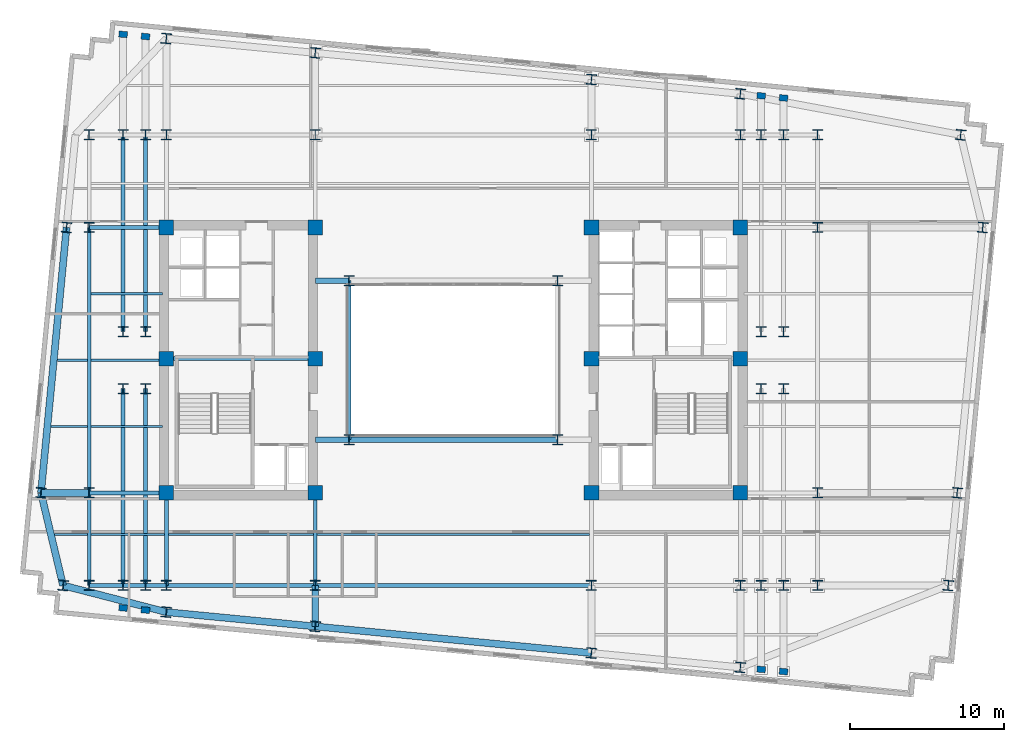
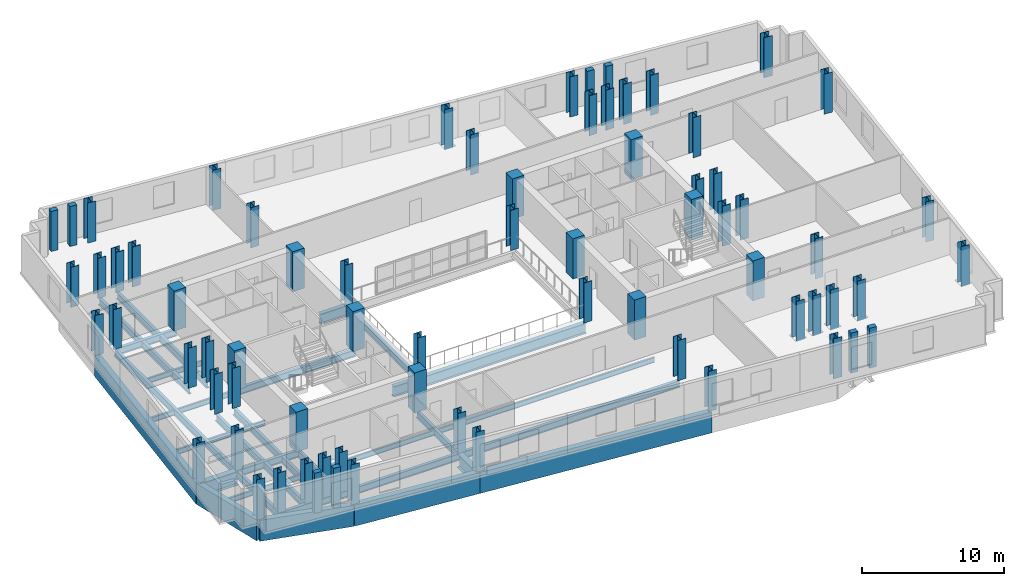
# One storey, part 1 of 11: 71 columns, 34 beams.
"""IFC4 building model written with IfcOpenShell, lengths in metres."""

from ifc_helpers import new_model, si_unit, direction, frame, origin, origin_2d, place, context, subcontext, project, spatial, rectangle, i_section, extrude, material, material_profile, profile_set, type_object, element, save


model = new_model("IFC4")

# Units and contexts
model_context = context("Model", 3, precision=1e-05, world=origin(), true_north=direction((0.0, 1.0)))
body_context = subcontext(model_context, "Body", "Model", "MODEL_VIEW")
ifc_project = project(units=[si_unit("LENGTHUNIT", "METRE"), si_unit("AREAUNIT", "SQUARE_METRE"), si_unit("VOLUMEUNIT", "CUBIC_METRE"), si_unit("PLANEANGLEUNIT", "RADIAN"), si_unit("MASSUNIT", "GRAM", prefix="KILO")], contexts=[model_context])

# Site, building, storey
site_placement = place(None, origin())
site = spatial("IfcSite", under=ifc_project, at=site_placement, CompositionType="ELEMENT")
building_placement = place(site_placement, origin())
building = spatial("IfcBuilding", under=site, at=building_placement, Name="Velakula Bourse", CompositionType="ELEMENT")
storey_placement = place(building_placement, frame((0.0, 0.0, 160.39990234375)))
storey = spatial("IfcBuildingStorey", under=building, at=storey_placement, Name="L43", CompositionType="ELEMENT", Elevation=160.39990234375)

# Columns
ifc_material_1 = material(Name="Concrete M70 (fck 70 MPa)", Category="concrete")
ifc_material_profile_1 = material_profile(ifc_material_1, rectangle(XDim=0.949951171875, YDim=0.949951171875, at=origin_2d()), Name="Concrete M70 (fck 70 MPa)")
ifc_profile_set_1 = profile_set([ifc_material_profile_1], Name="Concrete M70 (fck 70 MPa)")
column_type_1 = type_object("IfcColumnType", Name="COL-RC-950", PredefinedType="COLUMN", material=ifc_profile_set_1)
for number, where, z_axis, x_axis, name in (
    (1, (-8.949951171875, -8.60009765625, 0.0), (0.0, 0.0, 1.0), (1.0, 0.0, 0.0), "L43 Core Boundary Column 01"),
    (2, (-8.949951171875, 0.10009765625, 0.0), (0.0, 0.0, 1.0), (1.0, 0.0, 0.0), "L43 Core Boundary Column 02"),
    (3, (-8.949951171875, 8.60009765625, 0.0), (0.0, 0.0, 1.0), (1.0, 0.0, 0.0), "L43 Core Boundary Column 03"),
    (4, (-18.60009765625, -8.60009765625, 0.0), (0.0, 0.0, 1.0), (1.0, 0.0, 0.0), "L43 Core Boundary Column 04"),
    (5, (-18.60009765625, 0.10009765625, 0.0), (0.0, 0.0, 1.0), (1.0, 0.0, 0.0), "L43 Core Boundary Column 05"),
    (6, (-18.60009765625, 8.60009765625, 0.0), (0.0, 0.0, 1.0), (1.0, 0.0, 0.0), "L43 Core Boundary Column 06"),
    (7, (8.949951171875, -8.60009765625, 0.0), (0.0, 0.0, 1.0), (1.0, 0.0, 0.0), "L43 Core Boundary Column 07"),
    (8, (8.949951171875, 0.10009765625, 0.0), (0.0, 0.0, 1.0), (1.0, 0.0, 0.0), "L43 Core Boundary Column 08"),
    (9, (8.949951171875, 8.60009765625, 0.0), (0.0, 0.0, 1.0), (1.0, 0.0, 0.0), "L43 Core Boundary Column 09"),
    (10, (18.60009765625, -8.60009765625, 0.0), (0.0, 0.0, 1.0), (1.0, 0.0, 0.0), "L43 Core Boundary Column 10"),
    (11, (18.60009765625, 0.10009765625, 0.0), (0.0, 0.0, 1.0), (1.0, 0.0, 0.0), "L43 Core Boundary Column 11"),
    (12, (18.60009765625, 8.60009765625, 0.0), (0.0, 0.0, 1.0), (1.0, 0.0, 0.0), "L43 Core Boundary Column 12"),
):
    element("IfcColumn", number, at=place(storey_placement, frame(where, z_axis=z_axis, x_axis=x_axis)), inside=storey, type_object=column_type_1, Name=name, PredefinedType="COLUMN", context=body_context, shape_type="SweptSolid", body=[
        extrude(rectangle(XDim=0.949951171875, YDim=0.949951171875, at=origin_2d()), origin(), (0.0, 0.0, 1.0), 3.4501953125),
    ])
ifc_material_2 = material(Name="Steel IS 2062 Grade 350 (E350)", Category="steel")
ifc_material_profile_2 = material_profile(ifc_material_2, i_section(OverallWidth=0.64990234375, OverallDepth=0.64990234375, WebThickness=0.028076171875, FlangeThickness=0.0400390625, at=origin_2d()), Name="Steel IS 2062 Grade 350 (E350)")
ifc_profile_set_2 = profile_set([ifc_material_profile_2], Name="Steel IS 2062 Grade 350 (E350)")
column_type_2 = type_object("IfcColumnType", Name="COL-STL-650", PredefinedType="COLUMN", material=ifc_profile_set_2)
for number, where, z_axis, x_axis, name in (
    (13, (-6.75, -5.14990234375, 0.0), (0.0, 0.0, 1.0), (1.0, 0.0, 0.0), "L43 Central Spine Column 01"),
    (14, (-6.75, 5.14990234375, 0.0), (0.0, 0.0, 1.0), (1.0, 0.0, 0.0), "L43 Central Spine Column 02"),
    (15, (6.75, -5.14990234375, 0.0), (0.0, 0.0, 1.0), (1.0, 0.0, 0.0), "L43 Central Spine Column 03"),
    (16, (6.75, 5.14990234375, 0.0), (0.0, 0.0, 1.0), (1.0, 0.0, 0.0), "L43 Central Spine Column 04"),
    (17, (-21.39990234375, -14.60009765625, 0.0), (0.0, 0.0, 1.0), (1.0, 0.0, 0.0), "L43 Tower Fulcrum Column 01"),
    (18, (-21.39990234375, 14.60009765625, 0.0), (0.0, 0.0, 1.0), (1.0, 0.0, 0.0), "L43 Tower Fulcrum Column 02"),
    (19, (-19.949951171875, -14.60009765625, 0.0), (0.0, 0.0, 1.0), (1.0, 0.0, 0.0), "L43 Tower Fulcrum Column 03"),
    (20, (-19.949951171875, 14.60009765625, 0.0), (0.0, 0.0, 1.0), (1.0, 0.0, 0.0), "L43 Tower Fulcrum Column 04"),
    (21, (-18.60009765625, -14.60009765625, 0.0), (0.0, 0.0, 1.0), (1.0, 0.0, 0.0), "L43 Tower Fulcrum Column 05"),
    (22, (-18.60009765625, 14.60009765625, 0.0), (0.0, 0.0, 1.0), (1.0, 0.0, 0.0), "L43 Tower Fulcrum Column 06"),
    (23, (-8.949951171875, -14.60009765625, 0.0), (0.0, 0.0, 1.0), (1.0, 0.0, 0.0), "L43 Tower Fulcrum Column 07"),
    (24, (-8.949951171875, 14.60009765625, 0.0), (0.0, 0.0, 1.0), (1.0, 0.0, 0.0), "L43 Tower Fulcrum Column 08"),
    (25, (8.949951171875, -14.60009765625, 0.0), (0.0, 0.0, 1.0), (1.0, 0.0, 0.0), "L43 Tower Fulcrum Column 09"),
    (26, (8.949951171875, 14.60009765625, 0.0), (0.0, 0.0, 1.0), (1.0, 0.0, 0.0), "L43 Tower Fulcrum Column 10"),
    (27, (18.60009765625, -14.60009765625, 0.0), (0.0, 0.0, 1.0), (1.0, 0.0, 0.0), "L43 Tower Fulcrum Column 11"),
    (28, (18.60009765625, 14.60009765625, 0.0), (0.0, 0.0, 1.0), (1.0, 0.0, 0.0), "L43 Tower Fulcrum Column 12"),
    (29, (19.949951171875, -14.60009765625, 0.0), (0.0, 0.0, 1.0), (1.0, 0.0, 0.0), "L43 Tower Fulcrum Column 13"),
    (30, (19.949951171875, 14.60009765625, 0.0), (0.0, 0.0, 1.0), (1.0, 0.0, 0.0), "L43 Tower Fulcrum Column 14"),
    (31, (21.39990234375, -14.60009765625, 0.0), (0.0, 0.0, 1.0), (1.0, 0.0, 0.0), "L43 Tower Fulcrum Column 15"),
    (32, (21.39990234375, 14.60009765625, 0.0), (0.0, 0.0, 1.0), (1.0, 0.0, 0.0), "L43 Tower Fulcrum Column 16"),
    (33, (-21.39990234375, -1.85009765625, 0.0), (0.0, 0.0, 1.0), (1.0, 0.0, 0.0), "L43 Tower Fulcrum Column 17"),
    (34, (-21.39990234375, 1.85009765625, 0.0), (0.0, 0.0, 1.0), (1.0, 0.0, 0.0), "L43 Tower Fulcrum Column 18"),
    (35, (-19.949951171875, -1.85009765625, 0.0), (0.0, 0.0, 1.0), (1.0, 0.0, 0.0), "L43 Tower Fulcrum Column 19"),
    (36, (-19.949951171875, 1.85009765625, 0.0), (0.0, 0.0, 1.0), (1.0, 0.0, 0.0), "L43 Tower Fulcrum Column 20"),
    (37, (19.949951171875, -1.85009765625, 0.0), (0.0, 0.0, 1.0), (1.0, 0.0, 0.0), "L43 Tower Fulcrum Column 21"),
    (38, (19.949951171875, 1.85009765625, 0.0), (0.0, 0.0, 1.0), (1.0, 0.0, 0.0), "L43 Tower Fulcrum Column 22"),
    (39, (21.39990234375, -1.85009765625, 0.0), (0.0, 0.0, 1.0), (1.0, 0.0, 0.0), "L43 Tower Fulcrum Column 23"),
    (40, (21.39990234375, 1.85009765625, 0.0), (0.0, 0.0, 1.0), (1.0, 0.0, 0.0), "L43 Tower Fulcrum Column 24"),
    (41, (-23.60009765625, -14.60009765625, 0.0), (0.0, 0.0, 1.0), (1.0, 0.0, 0.0), "L43 Mid-Wing Plumb Column 01"),
    (42, (-23.60009765625, -8.60009765625, 0.0), (0.0, 0.0, 1.0), (1.0, 0.0, 0.0), "L43 Mid-Wing Plumb Column 02"),
    (43, (-23.60009765625, 8.60009765625, 0.0), (0.0, 0.0, 1.0), (1.0, 0.0, 0.0), "L43 Mid-Wing Plumb Column 03"),
    (44, (-23.60009765625, 14.60009765625, 0.0), (0.0, 0.0, 1.0), (1.0, 0.0, 0.0), "L43 Mid-Wing Plumb Column 04"),
    (45, (23.60009765625, -14.60009765625, 0.0), (0.0, 0.0, 1.0), (1.0, 0.0, 0.0), "L43 Mid-Wing Plumb Column 05"),
    (46, (23.60009765625, -8.60009765625, 0.0), (0.0, 0.0, 1.0), (1.0, 0.0, 0.0), "L43 Mid-Wing Plumb Column 06"),
    (47, (23.60009765625, 8.60009765625, 0.0), (0.0, 0.0, 1.0), (1.0, 0.0, 0.0), "L43 Mid-Wing Plumb Column 07"),
    (48, (23.60009765625, 14.60009765625, 0.0), (0.0, 0.0, 1.0), (1.0, 0.0, 0.0), "L43 Mid-Wing Plumb Column 08"),
    (49, (-18.60009765625, -16.32861328125, 0.0), (0.0, 0.0, 1.0), (0.995396198367, -0.09584575252, 0.0), "L43 Block B4 Perimeter Column S1"),
    (50, (-8.949951171875, -17.2578125, 0.0), (0.0, 0.0, 1.0), (0.995396198367, -0.09584575252, 0.0), "L43 Block B4 Perimeter Column S2"),
    (51, (8.949951171875, -18.9814453125, 0.0), (0.0, 0.0, 1.0), (0.995396198367, -0.09584575252, 0.0), "L43 Block B4 Perimeter Column S3"),
    (52, (18.60009765625, -19.91064453125, 0.0), (0.0, 0.0, 1.0), (0.995396198367, -0.09584575252, 0.0), "L43 Block B4 Perimeter Column S4"),
    (53, (-18.60009765625, 20.84228515625, 0.0), (0.0, 0.0, 1.0), (0.995396198367, -0.09584575252, 0.0), "L43 Block B4 Perimeter Column N1"),
    (54, (-8.949951171875, 19.9130859375, 0.0), (0.0, 0.0, 1.0), (0.995396198367, -0.09584575252, 0.0), "L43 Block B4 Perimeter Column N2"),
    (55, (8.949951171875, 18.189697265625, 0.0), (0.0, 0.0, 1.0), (0.995396198367, -0.09584575252, 0.0), "L43 Block B4 Perimeter Column N3"),
    (56, (18.60009765625, 17.260498046875, 0.0), (0.0, 0.0, 1.0), (0.995396198367, -0.09584575252, 0.0), "L43 Block B4 Perimeter Column N4"),
    (57, (-25.29296875, -14.60009765625, 0.0), (0.0, 0.0, 1.0), (0.995396198367, -0.09584575252, 0.0), "L43 Block B4 Perimeter Column W1"),
    (58, (-26.724365234375, -8.60009765625, 0.0), (0.0, 0.0, 1.0), (0.995396198367, -0.09584575252, 0.0), "L43 Block B4 Perimeter Column W2"),
    (59, (-25.068115234375, 8.60009765625, 0.0), (0.0, 0.0, 1.0), (0.995396198367, -0.09584575252, 0.0), "L43 Block B4 Perimeter Column W3"),
    (60, (32.0712890625, -14.60009765625, 0.0), (0.0, 0.0, 1.0), (0.995396198367, -0.09584575252, 0.0), "L43 Block B4 Perimeter Column E1"),
    (61, (32.64892578125, -8.60009765625, 0.0), (0.0, 0.0, 1.0), (0.995396198367, -0.09584575252, 0.0), "L43 Block B4 Perimeter Column E2"),
    (62, (34.30517578125, 8.60009765625, 0.0), (0.0, 0.0, 1.0), (0.995396198367, -0.09584575252, 0.0), "L43 Block B4 Perimeter Column E3"),
    (63, (32.87353515625, 14.60009765625, 0.0), (0.0, 0.0, 1.0), (0.995396198367, -0.09584575252, 0.0), "L43 Block B4 Perimeter Column E4"),
):
    element("IfcColumn", number, at=place(storey_placement, frame(where, z_axis=z_axis, x_axis=x_axis)), inside=storey, type_object=column_type_2, Name=name, PredefinedType="COLUMN", context=body_context, shape_type="SweptSolid", body=[
        extrude(i_section(OverallWidth=0.64990234375, OverallDepth=0.64990234375, WebThickness=0.028076171875, FlangeThickness=0.0400390625, at=origin_2d()), origin(), (0.0, 0.0, 1.0), 3.4501953125),
    ])
ifc_material_3 = material(Name="Precast concrete M45 (fck 45 MPa)", Category="concrete")
ifc_material_profile_3 = material_profile(ifc_material_3, rectangle(XDim=0.550048828125, YDim=0.39990234375, at=origin_2d()), Name="Precast concrete M45 (fck 45 MPa)")
ifc_profile_set_3 = profile_set([ifc_material_profile_3], Name="Precast concrete M45 (fck 45 MPa)")
column_type_3 = type_object("IfcColumnType", Name="PIL-BRICK-550", PredefinedType="PILASTER", material=ifc_profile_set_3)
for number, where, z_axis, x_axis, name in (
    (64, (-21.39990234375, -16.05908203125, 0.0), (0.0, 0.0, 1.0), (0.995396198367, -0.09584575252, 0.0), "L43 Brick Pier Pilaster 01"),
    (65, (-19.949951171875, -16.19873046875, 0.0), (0.0, 0.0, 1.0), (0.995396198367, -0.09584575252, 0.0), "L43 Brick Pier Pilaster 02"),
    (66, (19.949951171875, -20.04052734375, 0.0), (0.0, 0.0, 1.0), (0.995396198367, -0.09584575252, 0.0), "L43 Brick Pier Pilaster 03"),
    (67, (21.39990234375, -20.180419921875, 0.0), (0.0, 0.0, 1.0), (0.995396198367, -0.09584575252, 0.0), "L43 Brick Pier Pilaster 04"),
    (68, (-21.39990234375, 21.112060546875, 0.0), (0.0, 0.0, 1.0), (0.995396198367, -0.09584575252, 0.0), "L43 Brick Pier Pilaster 05"),
    (69, (-19.949951171875, 20.972412109375, 0.0), (0.0, 0.0, 1.0), (0.995396198367, -0.09584575252, 0.0), "L43 Brick Pier Pilaster 06"),
    (70, (19.949951171875, 17.130615234375, 0.0), (0.0, 0.0, 1.0), (0.995396198367, -0.09584575252, 0.0), "L43 Brick Pier Pilaster 07"),
    (71, (21.39990234375, 16.990966796875, 0.0), (0.0, 0.0, 1.0), (0.995396198367, -0.09584575252, 0.0), "L43 Brick Pier Pilaster 08"),
):
    element("IfcColumn", number, at=place(storey_placement, frame(where, z_axis=z_axis, x_axis=x_axis)), inside=storey, type_object=column_type_3, Name=name, PredefinedType="PILASTER", context=body_context, shape_type="SweptSolid", body=[
        extrude(rectangle(XDim=0.550048828125, YDim=0.39990234375, at=origin_2d()), origin(), (0.0, 0.0, 1.0), 3.4501953125),
    ])

# Beams
ifc_material_profile_4 = material_profile(ifc_material_2, i_section(OverallWidth=0.25, OverallDepth=0.60009765625, WebThickness=0.01123046875, FlangeThickness=0.021240234375, at=origin_2d()), Name="Steel IS 2062 Grade 350 (E350)")
ifc_profile_set_4 = profile_set([ifc_material_profile_4], Name="Steel IS 2062 Grade 350 (E350)")
beam_type_1 = type_object("IfcBeamType", Name="BM-GRD-600M", PredefinedType="BEAM", material=ifc_profile_set_4)
beam_1_placement = place(storey_placement, frame((-18.60009765625, 0.10009765625, -0.47998046875), z_axis=(1.0, 0.0, 0.0), x_axis=(0.0, 1.0, 0.0)))
element("IfcBeam", 72, at=beam_1_placement, inside=storey, type_object=beam_type_1, Name="L43 Primary Backbone Girder CRW-M", PredefinedType="BEAM", context=body_context, shape_type="SweptSolid", body=[
    extrude(i_section(OverallWidth=0.25, OverallDepth=0.60009765625, WebThickness=0.01123046875, FlangeThickness=0.021240234375, at=origin_2d()), origin(), (0.0, 0.0, 1.0), 9.650146484375),
])
beam_2_placement = place(storey_placement, frame((-6.75, -5.14990234375, -0.47998046875), z_axis=(0.0, 1.0, 0.0), x_axis=(-1.0, 0.0, 0.0)))
element("IfcBeam", 73, at=beam_2_placement, inside=storey, type_object=beam_type_1, Name="L43 Primary Backbone Girder SPN-W", PredefinedType="BEAM", context=body_context, shape_type="SweptSolid", body=[
    extrude(i_section(OverallWidth=0.25, OverallDepth=0.60009765625, WebThickness=0.01123046875, FlangeThickness=0.021240234375, at=origin_2d()), origin(), (0.0, 0.0, 1.0), 10.2998046875),
])
for number, where, z_axis, x_axis, name in (
    (74, (-18.60009765625, -14.60009765625, -0.47998046875), (0.0, 1.0, 0.0), (-1.0, 0.0, 0.0), "L43 Fulcrum Grid Girder FLC-WS"),
    (75, (-8.949951171875, -14.60009765625, -0.47998046875), (0.0, 1.0, 0.0), (-1.0, 0.0, 0.0), "L43 Fulcrum Grid Girder FLC-WCS"),
):
    element("IfcBeam", number, at=place(storey_placement, frame(where, z_axis=z_axis, x_axis=x_axis)), inside=storey, type_object=beam_type_1, Name=name, PredefinedType="BEAM", context=body_context, shape_type="SweptSolid", body=[
        extrude(i_section(OverallWidth=0.25, OverallDepth=0.60009765625, WebThickness=0.01123046875, FlangeThickness=0.021240234375, at=origin_2d()), origin(), (0.0, 0.0, 1.0), 6.0),
    ])
beam_3_placement = place(storey_placement, frame((-18.60009765625, -14.60009765625, -0.47998046875), z_axis=(1.0, 0.0, 0.0), x_axis=(0.0, 1.0, 0.0)))
element("IfcBeam", 76, at=beam_3_placement, inside=storey, type_object=beam_type_1, Name="L43 Fulcrum Grid Girder FLC-S1", PredefinedType="BEAM", context=body_context, shape_type="SweptSolid", body=[
    extrude(i_section(OverallWidth=0.25, OverallDepth=0.60009765625, WebThickness=0.01123046875, FlangeThickness=0.021240234375, at=origin_2d()), origin(), (0.0, 0.0, 1.0), 9.650146484375),
])
beam_4_placement = place(storey_placement, frame((-8.949951171875, -14.60009765625, -0.47998046875), z_axis=(1.0, 0.0, 0.0), x_axis=(0.0, 1.0, 0.0)))
element("IfcBeam", 77, at=beam_4_placement, inside=storey, type_object=beam_type_1, Name="L43 Fulcrum Grid Girder FLC-S2", PredefinedType="BEAM", context=body_context, shape_type="SweptSolid", body=[
    extrude(i_section(OverallWidth=0.25, OverallDepth=0.60009765625, WebThickness=0.01123046875, FlangeThickness=0.021240234375, at=origin_2d()), origin(), (0.0, 0.0, 1.0), 17.89990234375),
])
for number, where, z_axis, x_axis, name in (
    (78, (-21.39990234375, -14.60009765625, -0.47998046875), (0.0, 1.0, 0.0), (-1.0, 0.0, 0.0), "L43 Fulcrum Grid Girder FLC-PSW1"),
    (79, (-21.39990234375, 1.85009765625, -0.47998046875), (0.0, 1.0, 0.0), (-1.0, 0.0, 0.0), "L43 Fulcrum Grid Girder FLC-PNW1"),
    (80, (-19.949951171875, -14.60009765625, -0.47998046875), (0.0, 1.0, 0.0), (-1.0, 0.0, 0.0), "L43 Fulcrum Grid Girder FLC-PSW2"),
    (81, (-19.949951171875, 1.85009765625, -0.47998046875), (0.0, 1.0, 0.0), (-1.0, 0.0, 0.0), "L43 Fulcrum Grid Girder FLC-PNW2"),
):
    element("IfcBeam", number, at=place(storey_placement, frame(where, z_axis=z_axis, x_axis=x_axis)), inside=storey, type_object=beam_type_1, Name=name, PredefinedType="BEAM", context=body_context, shape_type="SweptSolid", body=[
        extrude(i_section(OverallWidth=0.25, OverallDepth=0.60009765625, WebThickness=0.01123046875, FlangeThickness=0.021240234375, at=origin_2d()), origin(), (0.0, 0.0, 1.0), 12.75),
    ])
for number, where, z_axis, x_axis, name in (
    (82, (-23.60009765625, -14.60009765625, -0.47998046875), (1.0, 0.0, 0.0), (0.0, 1.0, 0.0), "L43 Fulcrum Grid Girder MWG-WS1"),
    (83, (-23.60009765625, -8.60009765625, -0.47998046875), (1.0, 0.0, 0.0), (0.0, 1.0, 0.0), "L43 Fulcrum Grid Girder MWG-WS2"),
    (84, (-23.60009765625, 8.60009765625, -0.47998046875), (1.0, 0.0, 0.0), (0.0, 1.0, 0.0), "L43 Fulcrum Grid Girder MWG-WN1"),
):
    element("IfcBeam", number, at=place(storey_placement, frame(where, z_axis=z_axis, x_axis=x_axis)), inside=storey, type_object=beam_type_1, Name=name, PredefinedType="BEAM", context=body_context, shape_type="SweptSolid", body=[
        extrude(i_section(OverallWidth=0.25, OverallDepth=0.60009765625, WebThickness=0.01123046875, FlangeThickness=0.021240234375, at=origin_2d()), origin(), (0.0, 0.0, 1.0), 5.0),
    ])
beam_5_placement = place(storey_placement, frame((-23.60009765625, -14.60009765625, -0.47998046875), z_axis=(0.0, 1.0, 0.0), x_axis=(-1.0, 0.0, 0.0)))
element("IfcBeam", 85, at=beam_5_placement, inside=storey, type_object=beam_type_1, Name="L43 Fulcrum Grid Girder MWG-WNS1", PredefinedType="BEAM", context=body_context, shape_type="SweptSolid", body=[
    extrude(i_section(OverallWidth=0.25, OverallDepth=0.60009765625, WebThickness=0.01123046875, FlangeThickness=0.021240234375, at=origin_2d()), origin(), (0.0, 0.0, 1.0), 6.0),
])
beam_6_placement = place(storey_placement, frame((-23.60009765625, -8.60009765625, -0.47998046875), z_axis=(0.0, 1.0, 0.0), x_axis=(-1.0, 0.0, 0.0)))
element("IfcBeam", 86, at=beam_6_placement, inside=storey, type_object=beam_type_1, Name="L43 Fulcrum Grid Girder MWG-WNS2", PredefinedType="BEAM", context=body_context, shape_type="SweptSolid", body=[
    extrude(i_section(OverallWidth=0.25, OverallDepth=0.60009765625, WebThickness=0.01123046875, FlangeThickness=0.021240234375, at=origin_2d()), origin(), (0.0, 0.0, 1.0), 17.2001953125),
])
ifc_material_profile_5 = material_profile(ifc_material_2, i_section(OverallWidth=0.35009765625, OverallDepth=0.89990234375, WebThickness=0.02001953125, FlangeThickness=0.031982421875, at=origin_2d()), Name="Steel IS 2062 Grade 350 (E350)")
ifc_profile_set_5 = profile_set([ifc_material_profile_5], Name="Steel IS 2062 Grade 350 (E350)")
beam_type_2 = type_object("IfcBeamType", Name="BM-LNK-900", PredefinedType="BEAM", material=ifc_profile_set_5)
beam_7_placement = place(storey_placement, frame((-8.949951171875, -5.14990234375, -0.6298828125), z_axis=(1.0, 0.0, 0.0), x_axis=(0.0, 1.0, 0.0)))
element("IfcBeam", 87, at=beam_7_placement, inside=storey, type_object=beam_type_2, Name="L43 Primary Backbone Girder LNK-S1", PredefinedType="BEAM", context=body_context, shape_type="SweptSolid", body=[
    extrude(i_section(OverallWidth=0.35009765625, OverallDepth=0.89990234375, WebThickness=0.02001953125, FlangeThickness=0.031982421875, at=origin_2d()), origin(), (0.0, 0.0, 1.0), 2.199951171875),
])
beam_8_placement = place(storey_placement, frame((-6.75, -5.14990234375, -0.6298828125), z_axis=(1.0, 0.0, 0.0), x_axis=(0.0, 1.0, 0.0)))
element("IfcBeam", 88, at=beam_8_placement, inside=storey, type_object=beam_type_2, Name="L43 Primary Backbone Girder LNK-S2", PredefinedType="BEAM", context=body_context, shape_type="SweptSolid", body=[
    extrude(i_section(OverallWidth=0.35009765625, OverallDepth=0.89990234375, WebThickness=0.02001953125, FlangeThickness=0.031982421875, at=origin_2d()), origin(), (0.0, 0.0, 1.0), 13.5),
])
beam_9_placement = place(storey_placement, frame((-8.949951171875, 5.14990234375, -0.6298828125), z_axis=(1.0, 0.0, 0.0), x_axis=(0.0, 1.0, 0.0)))
element("IfcBeam", 89, at=beam_9_placement, inside=storey, type_object=beam_type_2, Name="L43 Primary Backbone Girder LNK-N1", PredefinedType="BEAM", context=body_context, shape_type="SweptSolid", body=[
    extrude(i_section(OverallWidth=0.35009765625, OverallDepth=0.89990234375, WebThickness=0.02001953125, FlangeThickness=0.031982421875, at=origin_2d()), origin(), (0.0, 0.0, 1.0), 2.199951171875),
])
ifc_material_profile_6 = material_profile(ifc_material_2, i_section(OverallWidth=0.14990234375, OverallDepth=0.449951171875, WebThickness=0.009521484375, FlangeThickness=0.017333984375, at=origin_2d()), Name="Steel IS 2062 Grade 350 (E350)")
ifc_profile_set_6 = profile_set([ifc_material_profile_6], Name="Steel IS 2062 Grade 350 (E350)")
beam_type_3 = type_object("IfcBeamType", Name="JST-TWR-450", PredefinedType="JOIST", material=ifc_profile_set_6)
beam_10_placement = place(storey_placement, frame((-25.848876953125, -11.300048828125, -0.40478515625), z_axis=(1.0, 0.0, 0.0), x_axis=(0.0, 1.0, 0.0)))
element("IfcBeam", 90, at=beam_10_placement, inside=storey, type_object=beam_type_3, Name="L43 Trading Floor Composite Joist 04", PredefinedType="JOIST", context=body_context, shape_type="SweptSolid", body=[
    extrude(i_section(OverallWidth=0.14990234375, OverallDepth=0.449951171875, WebThickness=0.009521484375, FlangeThickness=0.017333984375, at=origin_2d()), origin(), (0.0, 0.0, 1.0), 2.123779296875),
])
beam_11_placement = place(storey_placement, frame((-23.47509765625, -11.300048828125, -0.40478515625), z_axis=(1.0, 0.0, 0.0), x_axis=(0.0, 1.0, 0.0)))
element("IfcBeam", 91, at=beam_11_placement, inside=storey, type_object=beam_type_3, Name="L43 Trading Floor Composite Joist 05", PredefinedType="JOIST", context=body_context, shape_type="SweptSolid", body=[
    extrude(i_section(OverallWidth=0.14990234375, OverallDepth=0.449951171875, WebThickness=0.009521484375, FlangeThickness=0.017333984375, at=origin_2d()), origin(), (0.0, 0.0, 1.0), 4.75),
])
beam_12_placement = place(storey_placement, frame((-18.47509765625, -11.300048828125, -0.40478515625), z_axis=(1.0, 0.0, 0.0), x_axis=(0.0, 1.0, 0.0)))
element("IfcBeam", 92, at=beam_12_placement, inside=storey, type_object=beam_type_3, Name="L43 Trading Floor Composite Joist 06", PredefinedType="JOIST", context=body_context, shape_type="SweptSolid", body=[
    extrude(i_section(OverallWidth=0.14990234375, OverallDepth=0.449951171875, WebThickness=0.009521484375, FlangeThickness=0.017333984375, at=origin_2d()), origin(), (0.0, 0.0, 1.0), 9.400146484375),
])
beam_13_placement = place(storey_placement, frame((-8.824951171875, -11.300048828125, -0.40478515625), z_axis=(1.0, 0.0, 0.0), x_axis=(0.0, 1.0, 0.0)))
element("IfcBeam", 93, at=beam_13_placement, inside=storey, type_object=beam_type_3, Name="L43 Trading Floor Composite Joist 07", PredefinedType="JOIST", context=body_context, shape_type="SweptSolid", body=[
    extrude(i_section(OverallWidth=0.14990234375, OverallDepth=0.449951171875, WebThickness=0.009521484375, FlangeThickness=0.017333984375, at=origin_2d()), origin(), (0.0, 0.0, 1.0), 17.64990234375),
])
beam_14_placement = place(storey_placement, frame((-26.084228515625, -4.300048828125, -0.40478515625), z_axis=(1.0, 0.0, 0.0), x_axis=(0.0, 1.0, 0.0)))
element("IfcBeam", 94, at=beam_14_placement, inside=storey, type_object=beam_type_3, Name="L43 Trading Floor Composite Joist 21", PredefinedType="JOIST", context=body_context, shape_type="SweptSolid", body=[
    extrude(i_section(OverallWidth=0.14990234375, OverallDepth=0.449951171875, WebThickness=0.009521484375, FlangeThickness=0.017333984375, at=origin_2d()), origin(), (0.0, 0.0, 1.0), 2.359130859375),
])
beam_15_placement = place(storey_placement, frame((-23.47509765625, -4.300048828125, -0.40478515625), z_axis=(1.0, 0.0, 0.0), x_axis=(0.0, 1.0, 0.0)))
element("IfcBeam", 95, at=beam_15_placement, inside=storey, type_object=beam_type_3, Name="L43 Trading Floor Composite Joist 22", PredefinedType="JOIST", context=body_context, shape_type="SweptSolid", body=[
    extrude(i_section(OverallWidth=0.14990234375, OverallDepth=0.449951171875, WebThickness=0.009521484375, FlangeThickness=0.017333984375, at=origin_2d()), origin(), (0.0, 0.0, 1.0), 4.625),
])
beam_16_placement = place(storey_placement, frame((-25.67041015625, 0.0, -0.40478515625), z_axis=(1.0, 0.0, 0.0), x_axis=(0.0, 1.0, 0.0)))
element("IfcBeam", 96, at=beam_16_placement, inside=storey, type_object=beam_type_3, Name="L43 Trading Floor Composite Joist 25", PredefinedType="JOIST", context=body_context, shape_type="SweptSolid", body=[
    extrude(i_section(OverallWidth=0.14990234375, OverallDepth=0.449951171875, WebThickness=0.009521484375, FlangeThickness=0.017333984375, at=origin_2d()), origin(), (0.0, 0.0, 1.0), 1.9453125),
])
for number, where, z_axis, x_axis, name in (
    (97, (-23.47509765625, 0.0, -0.40478515625), (1.0, 0.0, 0.0), (0.0, 1.0, 0.0), "L43 Trading Floor Composite Joist 26"),
    (98, (-23.47509765625, 4.300048828125, -0.40478515625), (1.0, 0.0, 0.0), (0.0, 1.0, 0.0), "L43 Trading Floor Composite Joist 29"),
):
    element("IfcBeam", number, at=place(storey_placement, frame(where, z_axis=z_axis, x_axis=x_axis)), inside=storey, type_object=beam_type_3, Name=name, PredefinedType="JOIST", context=body_context, shape_type="SweptSolid", body=[
        extrude(i_section(OverallWidth=0.14990234375, OverallDepth=0.449951171875, WebThickness=0.009521484375, FlangeThickness=0.017333984375, at=origin_2d()), origin(), (0.0, 0.0, 1.0), 4.625),
    ])
ifc_material_4 = material(Name="Concrete M50 (fck 50 MPa)", Category="concrete")
ifc_material_profile_7 = material_profile(ifc_material_4, rectangle(XDim=0.449951171875, YDim=1.800048828125, at=origin_2d()), Name="Concrete M50 (fck 50 MPa)")
ifc_profile_set_7 = profile_set([ifc_material_profile_7], Name="Concrete M50 (fck 50 MPa)")
beam_type_4 = type_object("IfcBeamType", Name="SPN-TRF-1800", PredefinedType="SPANDREL", material=ifc_profile_set_7)
beam_17_placement = place(storey_placement, frame((-18.60009765625, -16.32861328125, -1.079833984375), z_axis=(0.99539623971, -0.095845323155, 0.0), x_axis=(0.095845323155, 0.99539623971, 0.0)))
element("IfcBeam", 99, at=beam_17_placement, inside=storey, type_object=beam_type_4, Name="L43 Brick-Faced Precast Spandrel S1-S2", PredefinedType="SPANDREL", context=body_context, shape_type="SweptSolid", body=[
    extrude(rectangle(XDim=0.449951171875, YDim=1.800048828125, at=origin_2d()), origin(), (0.0, 0.0, 1.0), 9.69482421875),
])
beam_18_placement = place(storey_placement, frame((-8.949951171875, -17.2578125, -1.079833984375), z_axis=(0.995395836254, -0.095849513134, 0.0), x_axis=(0.095849513134, 0.995395836254, 0.0)))
element("IfcBeam", 100, at=beam_18_placement, inside=storey, type_object=beam_type_4, Name="L43 Brick-Faced Precast Spandrel S2-S3", PredefinedType="SPANDREL", context=body_context, shape_type="SweptSolid", body=[
    extrude(rectangle(XDim=0.449951171875, YDim=1.800048828125, at=origin_2d()), origin(), (0.0, 0.0, 1.0), 17.982666015625),
])
beam_19_placement = place(storey_placement, frame((-25.29296875, -14.60009765625, -1.079833984375), z_axis=(-0.232053924044, 0.97270292296, 0.0), x_axis=(-0.97270292296, -0.232053924044, 0.0)))
element("IfcBeam", 101, at=beam_19_placement, inside=storey, type_object=beam_type_4, Name="L43 Brick-Faced Precast Spandrel W1-W2", PredefinedType="SPANDREL", context=body_context, shape_type="SweptSolid", body=[
    extrude(rectangle(XDim=0.449951171875, YDim=1.800048828125, at=origin_2d()), origin(), (0.0, 0.0, 1.0), 6.16845703125),
])
beam_20_placement = place(storey_placement, frame((-26.724365234375, -8.60009765625, -1.079833984375), z_axis=(0.095849167925, 0.995395869495, 0.0), x_axis=(-0.995395869495, 0.095849167925, 0.0)))
element("IfcBeam", 102, at=beam_20_placement, inside=storey, type_object=beam_type_4, Name="L43 Brick-Faced Precast Spandrel W2-W3", PredefinedType="SPANDREL", context=body_context, shape_type="SweptSolid", body=[
    extrude(rectangle(XDim=0.449951171875, YDim=1.800048828125, at=origin_2d()), origin(), (0.0, 0.0, 1.0), 17.27978515625),
])
beam_21_placement = place(storey_placement, frame((-25.29296875, -14.60009765625, -1.079833984375), z_axis=(0.968230996313, -0.250057468954, 0.0), x_axis=(0.250057468954, 0.968230996313, 0.0)))
element("IfcBeam", 103, at=beam_21_placement, inside=storey, type_object=beam_type_4, Name="L43 Brick-Faced Precast Spandrel W1-S1", PredefinedType="SPANDREL", context=body_context, shape_type="SweptSolid", body=[
    extrude(rectangle(XDim=0.449951171875, YDim=1.800048828125, at=origin_2d()), origin(), (0.0, 0.0, 1.0), 6.912353515625),
])
ifc_material_5 = material(Name="Steel IS 2062 Grade 450 (E450)", Category="steel")
ifc_material_profile_8 = material_profile(ifc_material_5, i_section(OverallWidth=0.449951171875, OverallDepth=1.199951171875, WebThickness=0.02587890625, FlangeThickness=0.0400390625, at=origin_2d()), Name="Steel IS 2062 Grade 450 (E450)")
ifc_profile_set_8 = profile_set([ifc_material_profile_8], Name="Steel IS 2062 Grade 450 (E450)")
beam_type_5 = type_object("IfcBeamType", Name="TB-CANT-1200", PredefinedType="BEAM", material=ifc_profile_set_8)
beam_22_placement = place(storey_placement, frame((-8.949951171875, -14.60009765625, -0.77978515625), z_axis=(0.0, -1.0, 0.0), x_axis=(1.0, 0.0, 0.0)))
element("IfcBeam", 104, at=beam_22_placement, inside=storey, type_object=beam_type_5, Name="L43 Perimeter Tie Girder S2", PredefinedType="BEAM", context=body_context, shape_type="SweptSolid", body=[
    extrude(i_section(OverallWidth=0.449951171875, OverallDepth=1.199951171875, WebThickness=0.02587890625, FlangeThickness=0.0400390625, at=origin_2d()), origin(), (0.0, 0.0, 1.0), 2.65771484375),
])
beam_23_placement = place(storey_placement, frame((-23.60009765625, -8.60009765625, -0.77978515625), z_axis=(-1.0, 0.0, 0.0), x_axis=(0.0, -1.0, 0.0)))
element("IfcBeam", 105, at=beam_23_placement, inside=storey, type_object=beam_type_5, Name="L43 Perimeter Tie Girder W2", PredefinedType="BEAM", context=body_context, shape_type="SweptSolid", body=[
    extrude(i_section(OverallWidth=0.449951171875, OverallDepth=1.199951171875, WebThickness=0.02587890625, FlangeThickness=0.0400390625, at=origin_2d()), origin(), (0.0, 0.0, 1.0), 3.124267578125),
])

save(model, "model.ifc")
